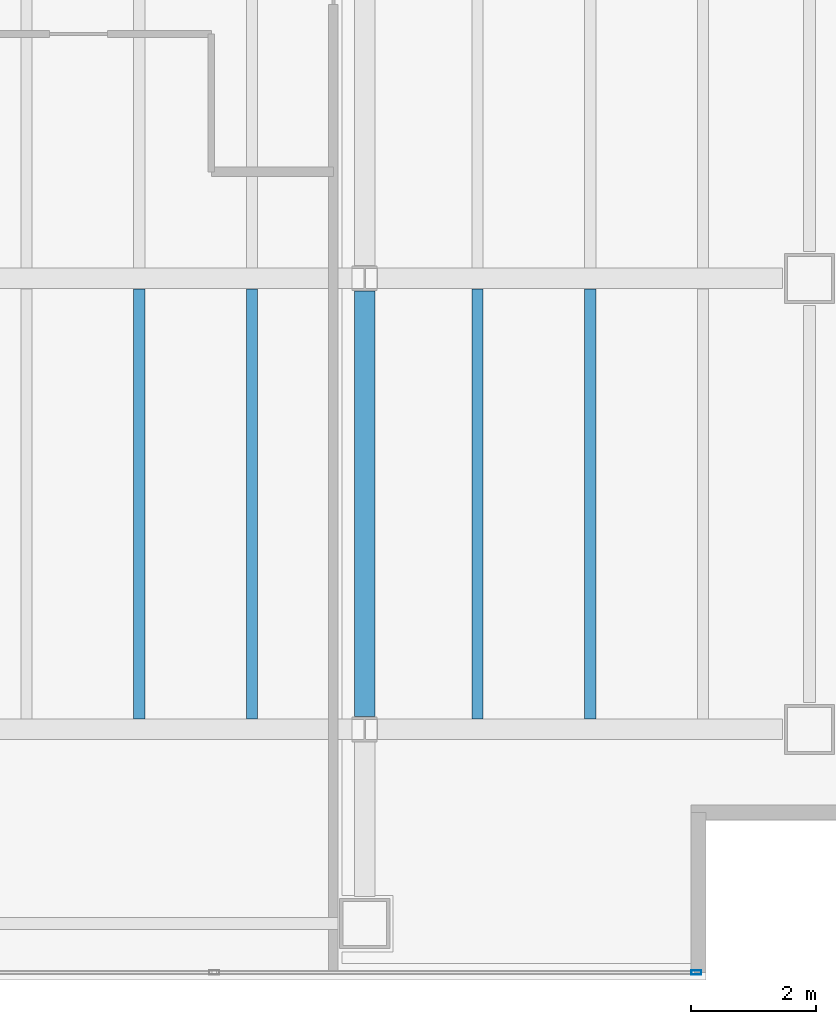
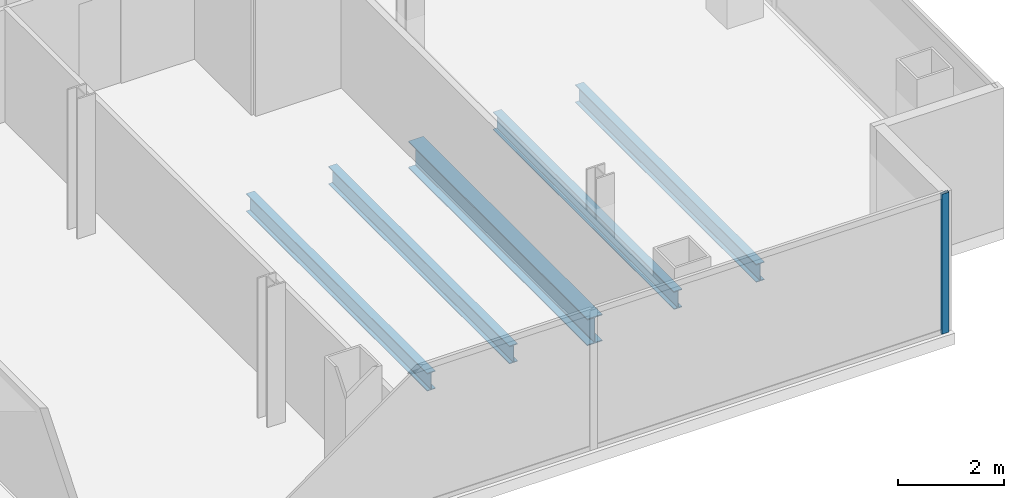
# One storey, part 11 of 23: 5 beams, 1 member, 1 element without a shape of its own.
"""IFC4 building model written with IfcOpenShell, lengths in metres."""

from ifc_helpers import new_model, si_unit, direction, frame, origin, origin_2d, place, context, subcontext, project, spatial, hollow_rectangle, i_section, extrude, material, material_profile, profile_set, type_object, element, aggregate, save


model = new_model("IFC4")

# Units and contexts
model_context = context("Model", 3, precision=1e-05, world=origin(), true_north=direction((0.0, 1.0)))
body_context = subcontext(model_context, "Body", "Model", "MODEL_VIEW")
ifc_project = project(units=[si_unit("LENGTHUNIT", "METRE"), si_unit("AREAUNIT", "SQUARE_METRE"), si_unit("VOLUMEUNIT", "CUBIC_METRE"), si_unit("PLANEANGLEUNIT", "RADIAN"), si_unit("MASSUNIT", "GRAM", prefix="KILO")], contexts=[model_context])

# Site, building, storey
site_placement = place(None, origin())
site = spatial("IfcSite", under=ifc_project, at=site_placement, CompositionType="ELEMENT")
building_placement = place(site_placement, origin())
building = spatial("IfcBuilding", under=site, at=building_placement, Name="Cobrela Telecom Tower", CompositionType="ELEMENT")
storey_placement = place(building_placement, frame((0.0, 0.0, 187.25)))
storey = spatial("IfcBuildingStorey", under=building, at=storey_placement, Name="L47", CompositionType="ELEMENT", Elevation=187.25)

# Beams
ifc_material_1 = material(Name="Steel ASTM A992 Grade 50", Category="steel")
ifc_material_profile_1 = material_profile(ifc_material_1, i_section(OverallWidth=0.327880859375, OverallDepth=0.6220703125, WebThickness=0.015380859375, FlangeThickness=0.0244140625, FilletRadius=0.014892578125, at=origin_2d()), Name="W24X131")
ifc_profile_set_1 = profile_set([ifc_material_profile_1], Name="Steel ASTM A992 Grade 50")
beam_type_1 = type_object("IfcBeamType", Name="BM-GIRD-06", PredefinedType="USERDEFINED", material=ifc_profile_set_1)
beam_placement = place(storey_placement, frame((36.0, 7.404541015625, -0.571044921875), z_axis=(0.0, 1.0, 0.0), x_axis=(-1.0, 0.0, 0.0)))
element("IfcBeam", 1, at=beam_placement, inside=storey, type_object=beam_type_1, Name="L47 Primary Girder Y40", ObjectType="GIRDER", PredefinedType="USERDEFINED", context=body_context, shape_type="SweptSolid", body=[
    extrude(i_section(OverallWidth=0.327880859375, OverallDepth=0.6220703125, WebThickness=0.015380859375, FlangeThickness=0.0244140625, FilletRadius=0.014892578125, at=origin_2d()), origin(), (0.0, 0.0, 1.0), 6.791015625),
])
ifc_material_profile_2 = material_profile(ifc_material_1, i_section(OverallWidth=0.179931640625, OverallDepth=0.4169921875, WebThickness=0.010986328125, FlangeThickness=0.01806640625, FilletRadius=0.011962890625, at=origin_2d()), Name="W16X57")
ifc_profile_set_2 = profile_set([ifc_material_profile_2], Name="Steel ASTM A992 Grade 50")
beam_type_2 = type_object("IfcBeamType", Name="BM-JOIST-04", PredefinedType="JOIST", material=ifc_profile_set_2)
for number, where, z_axis, x_axis, name in (
    (2, (32.39990234375, 7.368896484375, -0.468505859375), (0.0, 1.0, 0.0), (-1.0, 0.0, 0.0), "L47 Secondary Composite Floor Beam J21"),
    (3, (34.199951171875, 7.368896484375, -0.468505859375), (0.0, 1.0, 0.0), (-1.0, 0.0, 0.0), "L47 Secondary Composite Floor Beam J23"),
    (4, (37.800048828125, 7.368896484375, -0.468505859375), (0.0, 1.0, 0.0), (-1.0, 0.0, 0.0), "L47 Secondary Composite Floor Beam J25"),
    (5, (39.60009765625, 7.368896484375, -0.468505859375), (0.0, 1.0, 0.0), (-1.0, 0.0, 0.0), "L47 Secondary Composite Floor Beam J27"),
):
    element("IfcBeam", number, at=place(storey_placement, frame(where, z_axis=z_axis, x_axis=x_axis)), inside=storey, type_object=beam_type_2, Name=name, PredefinedType="JOIST", context=body_context, shape_type="SweptSolid", body=[
        extrude(i_section(OverallWidth=0.179931640625, OverallDepth=0.4169921875, WebThickness=0.010986328125, FlangeThickness=0.01806640625, FilletRadius=0.011962890625, at=origin_2d()), origin(), (0.0, 0.0, 1.0), 6.862060546875),
    ])

# Curtain wall, member
ifc_material_2 = material(Name="Anodized Bronze Aluminium 6063-T6", Category="aluminium")
curtain_wall_type = type_object("IfcCurtainWallType", Name="CW-SYS-OFF-LO", PredefinedType="USERDEFINED", material=ifc_material_2)
curtain_wall_placement = place(storey_placement, origin())
curtain_wall = element("IfcCurtainWall", 6, at=curtain_wall_placement, inside=storey, type_object=curtain_wall_type, Name="L47 Unitised Bronze Curtain Wall 17", ObjectType="UNITISED CURTAIN WALL", PredefinedType="USERDEFINED")
ifc_material_profile_3 = material_profile(ifc_material_2, hollow_rectangle(XDim=0.070068359375, YDim=0.159912109375, WallThickness=0.00390625, at=origin_2d()), Name="ALU 70x160x4")
ifc_profile_set_3 = profile_set([ifc_material_profile_3], Name="Anodized Bronze Aluminium 6063-T6")
member_type = type_object("IfcMemberType", Name="CW-SYS-OFF-LO-MUL", PredefinedType="MULLION", material=ifc_profile_set_3)
member_placement = place(storey_placement, frame((41.294921875, 3.320068359375, 0.0), z_axis=(0.0, 0.0, 1.0), x_axis=(0.0, -1.0, 0.0)))
member = element("IfcMember", 7, at=member_placement, type_object=member_type, Name="CW-OFF-LO mullion 1", PredefinedType="MULLION", context=body_context, shape_type="SweptSolid", body=[
    extrude(hollow_rectangle(XDim=0.070068359375, YDim=0.159912109375, WallThickness=0.00390625, at=origin_2d()), origin(), (0.0, 0.0, 1.0), 3.239990234375),
])
aggregate(curtain_wall, [member])

save(model, "model.ifc")
